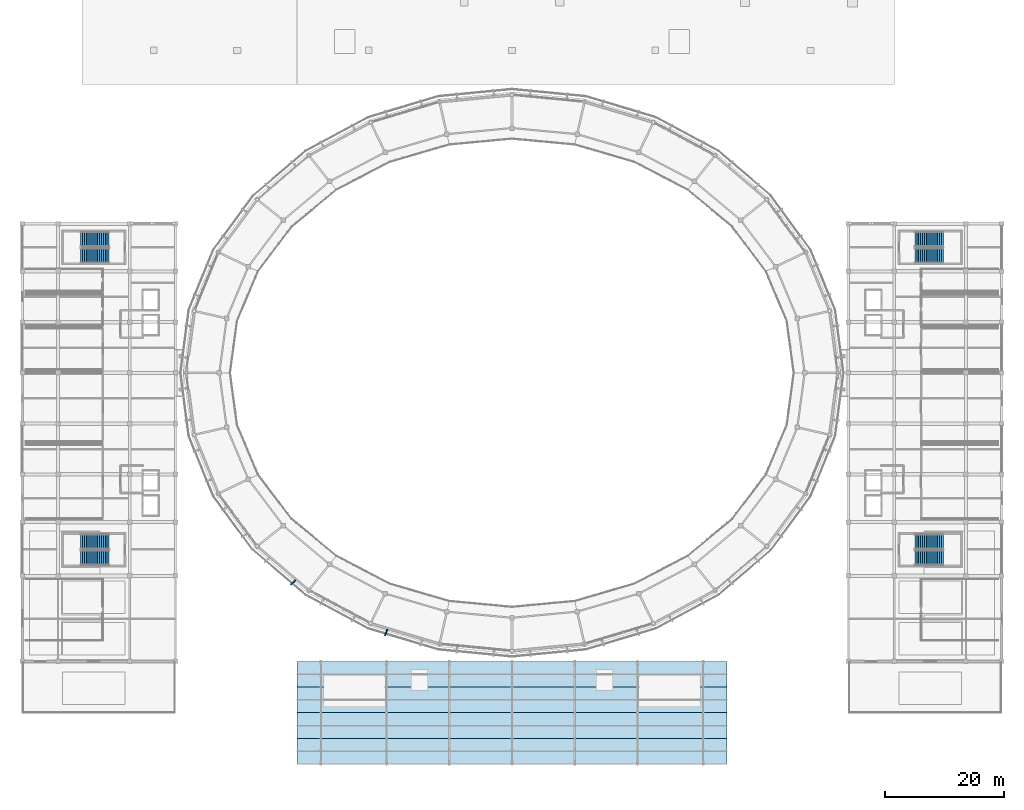
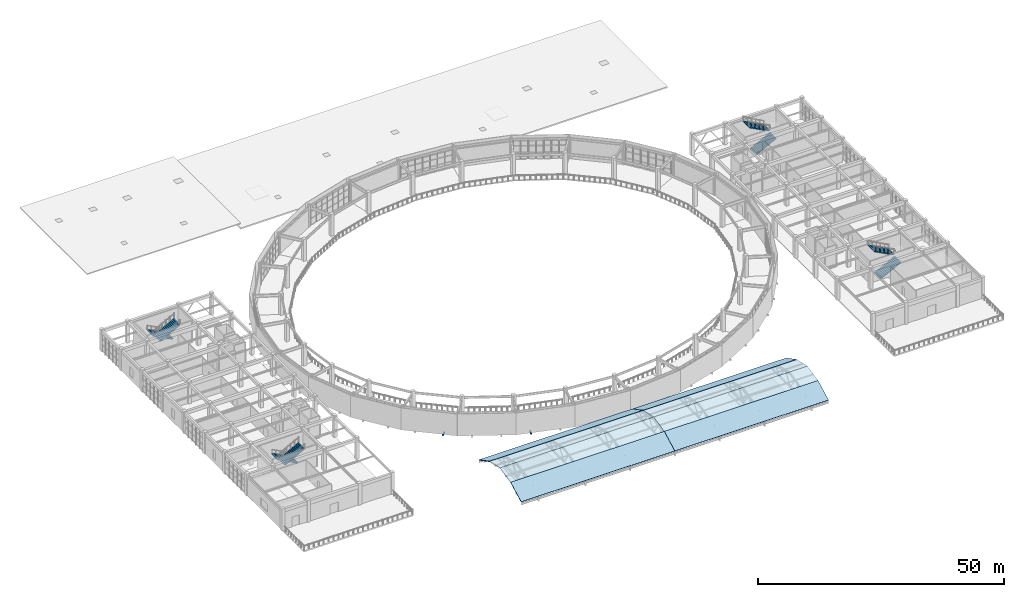
# One storey, part 59 of 70: 8 roofs, 8 stair flights, 2 discrete accessories, 4 elements without a shape of their own.
"""IFC4 building model written with IfcOpenShell, lengths in metres."""

import ifcopenshell
import ifcopenshell.guid

model = None  # the IFC model being written
_history = None  # IfcOwnerHistory: only IFC2X3 demands one
_inside = {}  # id of a spatial element -> (the spatial element, [elements in it])
_under = {}  # id of a project, library or spatial element -> (it, [spatial elements below it])
_declared = {}  # id of a project -> (the project, [libraries it declares])
_typed = {}  # id of a type object -> (the type object, [elements of that type])
_made_of = {}  # id of a material, layer set ... -> (it, [elements and type objects made of it])


def new_model(schema):
    """Start an empty IFC model of exactly this schema.

    Asked for "IFC4X3", IfcOpenShell would pick the latest addendum, in which some entities
    have other attributes; the version numbers below select the first issue.
    IFC2X3 requires an IfcOwnerHistory on every rooted entity: one is made here for all.
    """
    global model, _history
    if schema == "IFC4X3":
        model = ifcopenshell.file(schema_version=(4, 3, 0, 0))
    else:
        model = ifcopenshell.file(schema=schema)
    _inside.clear()
    _under.clear()
    _declared.clear()
    _typed.clear()
    _made_of.clear()
    _history = None
    if model.schema == "IFC2X3":
        org = make("IfcOrganization", Name="unknown")
        user = make(
            "IfcPersonAndOrganization",
            ThePerson=make("IfcPerson", FamilyName="unknown"),
            TheOrganization=org,
        )
        app = make(
            "IfcApplication",
            ApplicationDeveloper=org,
            Version="unknown",
            ApplicationFullName="unknown",
            ApplicationIdentifier="unknown",
        )
        _history = make(
            "IfcOwnerHistory",
            OwningUser=user,
            OwningApplication=app,
            ChangeAction="ADDED",
            CreationDate=0,
        )
    return model


def make(cls, **values):
    """One entity of the class cls with the attributes given. An attribute that is None is left unset."""
    return model.create_entity(
        cls, **{name: value for name, value in values.items() if value is not None}
    )


def rooted(cls, **values):
    """An entity with a GlobalId (a new one), such as an element, a storey or a relation."""
    return make(cls, GlobalId=ifcopenshell.guid.new(), OwnerHistory=_history, **values)


def si_unit(unit_type, name, prefix=None):
    """IfcSIUnit, for example si_unit("LENGTHUNIT", "METRE", prefix="MILLI")."""
    return make("IfcSIUnit", UnitType=unit_type, Prefix=prefix, Name=name)


def assignment(units):
    """IfcUnitAssignment: the units of a project."""
    return None if units is None else make("IfcUnitAssignment", Units=units)


def point(xyz):
    """IfcCartesianPoint."""
    return None if xyz is None else make("IfcCartesianPoint", Coordinates=xyz)


def direction(xyz):
    """IfcDirection."""
    return None if xyz is None else make("IfcDirection", DirectionRatios=xyz)


def frame(location, z_axis=None, x_axis=None):
    """IfcAxis2Placement3D, a coordinate frame: its origin and axes. An axis left out is left unset."""
    return make(
        "IfcAxis2Placement3D",
        Location=point(location),
        Axis=direction(z_axis),
        RefDirection=direction(x_axis),
    )


def frame_2d(location, x_axis=None):
    """IfcAxis2Placement2D, a coordinate frame in the plane: its origin and x axis."""
    return make(
        "IfcAxis2Placement2D", Location=point(location), RefDirection=direction(x_axis)
    )


def origin():
    """The frame at (0, 0, 0) with its axes left unset."""
    return frame((0.0, 0.0, 0.0))


def origin_2d():
    """The frame at (0, 0) in the plane with its x axis left unset."""
    return frame_2d((0.0, 0.0))


def place(relative_to, where):
    """IfcLocalPlacement: puts the frame where relative to a parent placement (None: the world)."""
    return make(
        "IfcLocalPlacement", PlacementRelTo=relative_to, RelativePlacement=where
    )


def context(
    kind, dimensions, precision=None, world=None, true_north=None, identifier=None
):
    """IfcGeometricRepresentationContext, for example the 3D "Model" context."""
    return make(
        "IfcGeometricRepresentationContext",
        ContextIdentifier=identifier,
        ContextType=kind,
        CoordinateSpaceDimension=dimensions,
        Precision=precision,
        WorldCoordinateSystem=world,
        TrueNorth=true_north,
    )


def subcontext(parent, identifier, kind, view, scale=None):
    """IfcGeometricRepresentationSubContext, for example "Body" below "Model"."""
    return make(
        "IfcGeometricRepresentationSubContext",
        ContextIdentifier=identifier,
        ContextType=kind,
        ParentContext=parent,
        TargetScale=scale,
        TargetView=view,
    )


def project(units=None, contexts=None):
    """IfcProject with its units and contexts."""
    return rooted(
        "IfcProject",
        Name="project",
        RepresentationContexts=contexts,
        UnitsInContext=assignment(units),
    )


def spatial(cls, under=None, at=None, **own):
    """A site, building, storey or space (cls), placed at a placement, below another one or the project."""
    s = rooted(cls, ObjectPlacement=at, **own)
    if under is not None:
        _under.setdefault(under.id(), (under, []))[1].append(s)
    return s


def polyline(points):
    """IfcPolyline through the points."""
    return make("IfcPolyline", Points=[point(p) for p in points])


def profile(cls, at=None, kind="AREA", **sizes):
    """A parametric profile (cls). Its sizes go by their IFC names, for example OverallWidth=200.0."""
    return make(cls, ProfileType=kind, Position=at, **sizes)


def rectangle(**sizes):
    """IfcRectangleProfileDef."""
    return profile("IfcRectangleProfileDef", **sizes)


def outline(outer, holes=None, kind="AREA"):
    """IfcArbitraryClosedProfileDef: a profile drawn as a closed curve; with holes, ...WithVoids."""
    if holes is None:
        return make("IfcArbitraryClosedProfileDef", ProfileType=kind, OuterCurve=outer)
    return make(
        "IfcArbitraryProfileDefWithVoids",
        ProfileType=kind,
        OuterCurve=outer,
        InnerCurves=holes,
    )


def extrude(swept, where, along, depth):
    """IfcExtrudedAreaSolid: the profile swept, set in the frame where, extruded along a direction by depth."""
    return make(
        "IfcExtrudedAreaSolid",
        SweptArea=swept,
        Position=where,
        ExtrudedDirection=direction(along),
        Depth=depth,
    )


def shape(context_of_items, identifier, shape_type, items):
    """IfcShapeRepresentation: the items that make up one representation, for example the "Body"."""
    return make(
        "IfcShapeRepresentation",
        ContextOfItems=context_of_items,
        RepresentationIdentifier=identifier,
        RepresentationType=shape_type,
        Items=items,
    )


def material(Name=None, Category=None):
    """IfcMaterial."""
    return make("IfcMaterial", Name=Name, Category=Category)


def layer(
    of_material, thickness, ventilated=None, Name=None, Category=None, Priority=None
):
    """IfcMaterialLayer: one layer of a wall or slab, of a material (None: an air gap)."""
    return make(
        "IfcMaterialLayer",
        Material=of_material,
        LayerThickness=thickness,
        IsVentilated=ventilated,
        Name=Name,
        Category=Category,
        Priority=Priority,
    )


def layer_set(layers, Name=None):
    """IfcMaterialLayerSet."""
    return make("IfcMaterialLayerSet", MaterialLayers=layers, LayerSetName=Name)


def made_of(thing, what):
    """Note that an element or type object is made of a material, layer set ...; save() writes the relation."""
    if what is not None:
        _made_of.setdefault(what.id(), (what, []))[1].append(thing)
    return thing


def type_object(cls, material=None, **own):
    """A type object (cls), such as IfcWallType, which elements share."""
    return made_of(rooted(cls, **own), material)


def element(
    cls,
    number,
    at=None,
    inside=None,
    cuts=None,
    type_object=None,
    material=None,
    context=None,
    identifier="Body",
    shape_type=None,
    held_by="IfcProductDefinitionShape",
    body=None,
    shapes=None,
    **own,
):
    """One element of the class cls, such as IfcWall. Its Tag is "e" and its number.

    at: its placement. inside: the storey or other place that contains it. cuts: it is an
    opening in that element (IfcRelVoidsElement). A single representation is given by context,
    identifier, shape_type and body (its items); several are given by shapes. held_by: the class
    of the entity that holds the representations. save() writes the other relations.
    """
    e = rooted(cls, Tag="e%d" % number, ObjectPlacement=at, **own)
    if body is not None:
        shapes = [shape(context, identifier, shape_type, body)]
    if shapes is not None:
        e.Representation = make(held_by, Representations=shapes)
    if inside is not None:
        _inside.setdefault(inside.id(), (inside, []))[1].append(e)
    if cuts is not None:
        rooted(
            "IfcRelVoidsElement", RelatingBuildingElement=cuts, RelatedOpeningElement=e
        )
    if type_object is not None:
        _typed.setdefault(type_object.id(), (type_object, []))[1].append(e)
    return made_of(e, material)


def aggregate(whole, parts):
    """IfcRelAggregates: a whole, such as a stair, and the parts it consists of."""
    return rooted("IfcRelAggregates", RelatingObject=whole, RelatedObjects=parts)


def save(model, path):
    """Write the relations noted so far, then the file.

    IfcRelAggregates (storeys below a building ...), IfcRelContainedInSpatialStructure (elements
    in a storey), IfcRelDefinesByType, IfcRelAssociatesMaterial and IfcRelDeclares: one each for
    every whole, place, type object, material and project.
    """
    for whole, parts in _under.values():
        aggregate(whole, parts)
    for where, things in _inside.values():
        rooted(
            "IfcRelContainedInSpatialStructure",
            RelatedElements=things,
            RelatingStructure=where,
        )
    for kind, things in _typed.values():
        rooted("IfcRelDefinesByType", RelatedObjects=things, RelatingType=kind)
    for what, things in _made_of.values():
        rooted("IfcRelAssociatesMaterial", RelatedObjects=things, RelatingMaterial=what)
    for by, libraries in _declared.values():
        rooted("IfcRelDeclares", RelatingContext=by, RelatedDefinitions=libraries)
    model.write(path)


model = new_model("IFC4")

# Units and contexts
model_context = context("Model", 3, precision=1e-05, world=origin(), true_north=direction((0.0, 1.0)))
body_context = subcontext(model_context, "Body", "Model", "MODEL_VIEW")
ifc_project = project(units=[si_unit("LENGTHUNIT", "METRE"), si_unit("AREAUNIT", "SQUARE_METRE"), si_unit("VOLUMEUNIT", "CUBIC_METRE"), si_unit("PLANEANGLEUNIT", "RADIAN"), si_unit("MASSUNIT", "GRAM", prefix="KILO")], contexts=[model_context])

# Site, building, storey
site_placement = place(None, origin())
site = spatial("IfcSite", under=ifc_project, at=site_placement, CompositionType="ELEMENT")
building_placement = place(site_placement, origin())
building = spatial("IfcBuilding", under=site, at=building_placement, Name="Cuetzalor Civic Arena", CompositionType="ELEMENT")
storey_placement = place(building_placement, frame((0.0, 0.0, 21.0)))
storey = spatial("IfcBuildingStorey", under=building, at=storey_placement, Name="L04", CompositionType="ELEMENT", Elevation=21.0)

# Stair, stair flights
ifc_material_1 = material(Name="Precast concrete C40/50", Category="concrete")
stair_type = type_object("IfcStairType", Name="EnclosedExitStair_H540", PredefinedType="HALF_TURN_STAIR", material=ifc_material_1)
stair_1_placement = place(storey_placement, origin())
stair_1 = element("IfcStair", 1, at=stair_1_placement, inside=storey, type_object=stair_type, Name="L04 Enclosed Exit Stair ST-16", PredefinedType="HALF_TURN_STAIR")
ifc_material_2 = material(Name="Precast concrete C40/50", Category="concrete")
stair_flight_type = type_object("IfcStairFlightType", Name="ExitStairFlight_H540", PredefinedType="STRAIGHT", material=ifc_material_2)
stair_flight_1_placement = place(storey_placement, frame((-67.449951171875, -28.25, 0.0), z_axis=(0.0, 0.0, 1.0), x_axis=(-1.0, 0.0, 0.0)))
stair_flight_1 = element("IfcStairFlight", 2, at=stair_flight_1_placement, type_object=stair_flight_type, Name="ST-16 flight 1", NumberOfRisers=16, NumberOfTreads=15, PredefinedType="STRAIGHT", RiserHeight=0.16875, TreadLength=0.318, context=body_context, shape_type="SweptSolid", body=[
    extrude(outline(polyline([(0.0, 0.0), (0.0, 0.168701171875), (0.318115234375, 0.168701171875), (0.318115234375, 0.33740234375), (0.635986328125, 0.33740234375), (0.635986328125, 0.50634765625), (0.9541015625, 0.50634765625), (0.9541015625, 0.675048828125), (1.27197265625, 0.675048828125), (1.27197265625, 0.84375), (1.590087890625, 0.84375), (1.590087890625, 1.012451171875), (1.907958984375, 1.012451171875), (1.907958984375, 1.18115234375), (2.22607421875, 1.18115234375), (2.22607421875, 1.35009765625), (2.5439453125, 1.35009765625), (2.5439453125, 1.518798828125), (2.862060546875, 1.518798828125), (2.862060546875, 1.6875), (3.179931640625, 1.6875), (3.179931640625, 1.856201171875), (3.498046875, 1.856201171875), (3.498046875, 2.02490234375), (3.81591796875, 2.02490234375), (3.81591796875, 2.19384765625), (4.134033203125, 2.19384765625), (4.134033203125, 2.362548828125), (4.451904296875, 2.362548828125), (4.451904296875, 2.53125), (4.77001953125, 2.53125), (4.77001953125, 2.699951171875), (4.77001953125, 2.32763671875), (0.3837890625, 0.0), (0.0, 0.0)])), frame((0.0, 1.25, 0.0), z_axis=(0.0, -1.0, 0.0), x_axis=(1.0, 0.0, 0.0)), (0.0, 0.0, 1.0), 2.5),
])
stair_flight_2_placement = place(storey_placement, frame((-72.219970703125, -30.949951171875, 2.699951171875), z_axis=(0.0, 0.0, 1.0), x_axis=(1.0, 0.0, 0.0)))
stair_flight_2 = element("IfcStairFlight", 3, at=stair_flight_2_placement, type_object=stair_flight_type, Name="ST-16 flight 2", NumberOfRisers=16, NumberOfTreads=15, PredefinedType="STRAIGHT", RiserHeight=0.16875, TreadLength=0.318, context=body_context, shape_type="SweptSolid", body=[
    extrude(outline(polyline([(0.0, 0.0), (0.0, 0.168701171875), (0.318115234375, 0.168701171875), (0.318115234375, 0.33740234375), (0.635986328125, 0.33740234375), (0.635986328125, 0.50634765625), (0.9541015625, 0.50634765625), (0.9541015625, 0.675048828125), (1.27197265625, 0.675048828125), (1.27197265625, 0.84375), (1.590087890625, 0.84375), (1.590087890625, 1.012451171875), (1.907958984375, 1.012451171875), (1.907958984375, 1.18115234375), (2.22607421875, 1.18115234375), (2.22607421875, 1.35009765625), (2.5439453125, 1.35009765625), (2.5439453125, 1.518798828125), (2.862060546875, 1.518798828125), (2.862060546875, 1.6875), (3.179931640625, 1.6875), (3.179931640625, 1.856201171875), (3.498046875, 1.856201171875), (3.498046875, 2.02490234375), (3.81591796875, 2.02490234375), (3.81591796875, 2.19384765625), (4.134033203125, 2.19384765625), (4.134033203125, 2.362548828125), (4.451904296875, 2.362548828125), (4.451904296875, 2.53125), (4.77001953125, 2.53125), (4.77001953125, 2.699951171875), (4.77001953125, 2.32763671875), (0.3837890625, 0.0), (0.0, 0.0)])), frame((0.0, 1.25, 0.0), z_axis=(0.0, -1.0, 0.0), x_axis=(1.0, 0.0, 0.0)), (0.0, 0.0, 1.0), 2.5),
])
aggregate(stair_1, [stair_flight_1, stair_flight_2])

stair_2_placement = place(storey_placement, origin())
stair_2 = element("IfcStair", 4, at=stair_2_placement, inside=storey, type_object=stair_type, Name="L04 Enclosed Exit Stair ST-17", PredefinedType="HALF_TURN_STAIR")
stair_flight_3_placement = place(storey_placement, frame((-67.449951171875, 22.35009765625, 0.0), z_axis=(0.0, 0.0, 1.0), x_axis=(-1.0, 0.0, 0.0)))
stair_flight_3 = element("IfcStairFlight", 5, at=stair_flight_3_placement, type_object=stair_flight_type, Name="ST-17 flight 1", NumberOfRisers=16, NumberOfTreads=15, PredefinedType="STRAIGHT", RiserHeight=0.16875, TreadLength=0.318, context=body_context, shape_type="SweptSolid", body=[
    extrude(outline(polyline([(0.0, 0.0), (0.0, 0.168701171875), (0.318115234375, 0.168701171875), (0.318115234375, 0.33740234375), (0.635986328125, 0.33740234375), (0.635986328125, 0.50634765625), (0.9541015625, 0.50634765625), (0.9541015625, 0.675048828125), (1.27197265625, 0.675048828125), (1.27197265625, 0.84375), (1.590087890625, 0.84375), (1.590087890625, 1.012451171875), (1.907958984375, 1.012451171875), (1.907958984375, 1.18115234375), (2.22607421875, 1.18115234375), (2.22607421875, 1.35009765625), (2.5439453125, 1.35009765625), (2.5439453125, 1.518798828125), (2.862060546875, 1.518798828125), (2.862060546875, 1.6875), (3.179931640625, 1.6875), (3.179931640625, 1.856201171875), (3.498046875, 1.856201171875), (3.498046875, 2.02490234375), (3.81591796875, 2.02490234375), (3.81591796875, 2.19384765625), (4.134033203125, 2.19384765625), (4.134033203125, 2.362548828125), (4.451904296875, 2.362548828125), (4.451904296875, 2.53125), (4.77001953125, 2.53125), (4.77001953125, 2.699951171875), (4.77001953125, 2.32763671875), (0.3837890625, 0.0), (0.0, 0.0)])), frame((0.0, 1.25, 0.0), z_axis=(0.0, -1.0, 0.0), x_axis=(1.0, 0.0, 0.0)), (0.0, 0.0, 1.0), 2.5),
])
stair_flight_4_placement = place(storey_placement, frame((-72.219970703125, 19.64990234375, 2.699951171875), z_axis=(0.0, 0.0, 1.0), x_axis=(1.0, 0.0, 0.0)))
stair_flight_4 = element("IfcStairFlight", 6, at=stair_flight_4_placement, type_object=stair_flight_type, Name="ST-17 flight 2", NumberOfRisers=16, NumberOfTreads=15, PredefinedType="STRAIGHT", RiserHeight=0.16875, TreadLength=0.318, context=body_context, shape_type="SweptSolid", body=[
    extrude(outline(polyline([(0.0, 0.0), (0.0, 0.168701171875), (0.318115234375, 0.168701171875), (0.318115234375, 0.33740234375), (0.635986328125, 0.33740234375), (0.635986328125, 0.50634765625), (0.9541015625, 0.50634765625), (0.9541015625, 0.675048828125), (1.27197265625, 0.675048828125), (1.27197265625, 0.84375), (1.590087890625, 0.84375), (1.590087890625, 1.012451171875), (1.907958984375, 1.012451171875), (1.907958984375, 1.18115234375), (2.22607421875, 1.18115234375), (2.22607421875, 1.35009765625), (2.5439453125, 1.35009765625), (2.5439453125, 1.518798828125), (2.862060546875, 1.518798828125), (2.862060546875, 1.6875), (3.179931640625, 1.6875), (3.179931640625, 1.856201171875), (3.498046875, 1.856201171875), (3.498046875, 2.02490234375), (3.81591796875, 2.02490234375), (3.81591796875, 2.19384765625), (4.134033203125, 2.19384765625), (4.134033203125, 2.362548828125), (4.451904296875, 2.362548828125), (4.451904296875, 2.53125), (4.77001953125, 2.53125), (4.77001953125, 2.699951171875), (4.77001953125, 2.32763671875), (0.3837890625, 0.0), (0.0, 0.0)])), frame((0.0, 1.25, 0.0), z_axis=(0.0, -1.0, 0.0), x_axis=(1.0, 0.0, 0.0)), (0.0, 0.0, 1.0), 2.5),
])
aggregate(stair_2, [stair_flight_3, stair_flight_4])

stair_3_placement = place(storey_placement, origin())
stair_3 = element("IfcStair", 7, at=stair_3_placement, inside=storey, type_object=stair_type, Name="L04 Enclosed Exit Stair ST-21", PredefinedType="HALF_TURN_STAIR")
stair_flight_5_placement = place(storey_placement, frame((67.449951171875, -30.949951171875, 0.0), z_axis=(0.0, 0.0, 1.0), x_axis=(1.0, 0.0, 0.0)))
stair_flight_5 = element("IfcStairFlight", 8, at=stair_flight_5_placement, type_object=stair_flight_type, Name="ST-21 flight 1", NumberOfRisers=16, NumberOfTreads=15, PredefinedType="STRAIGHT", RiserHeight=0.16875, TreadLength=0.318, context=body_context, shape_type="SweptSolid", body=[
    extrude(outline(polyline([(0.0, 0.0), (0.0, 0.168701171875), (0.318115234375, 0.168701171875), (0.318115234375, 0.33740234375), (0.635986328125, 0.33740234375), (0.635986328125, 0.50634765625), (0.9541015625, 0.50634765625), (0.9541015625, 0.675048828125), (1.27197265625, 0.675048828125), (1.27197265625, 0.84375), (1.590087890625, 0.84375), (1.590087890625, 1.012451171875), (1.907958984375, 1.012451171875), (1.907958984375, 1.18115234375), (2.22607421875, 1.18115234375), (2.22607421875, 1.35009765625), (2.5439453125, 1.35009765625), (2.5439453125, 1.518798828125), (2.862060546875, 1.518798828125), (2.862060546875, 1.6875), (3.179931640625, 1.6875), (3.179931640625, 1.856201171875), (3.498046875, 1.856201171875), (3.498046875, 2.02490234375), (3.81591796875, 2.02490234375), (3.81591796875, 2.19384765625), (4.134033203125, 2.19384765625), (4.134033203125, 2.362548828125), (4.451904296875, 2.362548828125), (4.451904296875, 2.53125), (4.77001953125, 2.53125), (4.77001953125, 2.699951171875), (4.77001953125, 2.32763671875), (0.3837890625, 0.0), (0.0, 0.0)])), frame((0.0, 1.25, 0.0), z_axis=(0.0, -1.0, 0.0), x_axis=(1.0, 0.0, 0.0)), (0.0, 0.0, 1.0), 2.5),
])
stair_flight_6_placement = place(storey_placement, frame((72.219970703125, -28.25, 2.699951171875), z_axis=(0.0, 0.0, 1.0), x_axis=(-1.0, 0.0, 0.0)))
stair_flight_6 = element("IfcStairFlight", 9, at=stair_flight_6_placement, type_object=stair_flight_type, Name="ST-21 flight 2", NumberOfRisers=16, NumberOfTreads=15, PredefinedType="STRAIGHT", RiserHeight=0.16875, TreadLength=0.318, context=body_context, shape_type="SweptSolid", body=[
    extrude(outline(polyline([(0.0, 0.0), (0.0, 0.168701171875), (0.318115234375, 0.168701171875), (0.318115234375, 0.33740234375), (0.635986328125, 0.33740234375), (0.635986328125, 0.50634765625), (0.9541015625, 0.50634765625), (0.9541015625, 0.675048828125), (1.27197265625, 0.675048828125), (1.27197265625, 0.84375), (1.590087890625, 0.84375), (1.590087890625, 1.012451171875), (1.907958984375, 1.012451171875), (1.907958984375, 1.18115234375), (2.22607421875, 1.18115234375), (2.22607421875, 1.35009765625), (2.5439453125, 1.35009765625), (2.5439453125, 1.518798828125), (2.862060546875, 1.518798828125), (2.862060546875, 1.6875), (3.179931640625, 1.6875), (3.179931640625, 1.856201171875), (3.498046875, 1.856201171875), (3.498046875, 2.02490234375), (3.81591796875, 2.02490234375), (3.81591796875, 2.19384765625), (4.134033203125, 2.19384765625), (4.134033203125, 2.362548828125), (4.451904296875, 2.362548828125), (4.451904296875, 2.53125), (4.77001953125, 2.53125), (4.77001953125, 2.699951171875), (4.77001953125, 2.32763671875), (0.3837890625, 0.0), (0.0, 0.0)])), frame((0.0, 1.25, 0.0), z_axis=(0.0, -1.0, 0.0), x_axis=(1.0, 0.0, 0.0)), (0.0, 0.0, 1.0), 2.5),
])
aggregate(stair_3, [stair_flight_5, stair_flight_6])

stair_4_placement = place(storey_placement, origin())
stair_4 = element("IfcStair", 10, at=stair_4_placement, inside=storey, type_object=stair_type, Name="L04 Enclosed Exit Stair ST-22", PredefinedType="HALF_TURN_STAIR")
stair_flight_7_placement = place(storey_placement, frame((67.449951171875, 19.64990234375, 0.0), z_axis=(0.0, 0.0, 1.0), x_axis=(1.0, 0.0, 0.0)))
stair_flight_7 = element("IfcStairFlight", 11, at=stair_flight_7_placement, type_object=stair_flight_type, Name="ST-22 flight 1", NumberOfRisers=16, NumberOfTreads=15, PredefinedType="STRAIGHT", RiserHeight=0.16875, TreadLength=0.318, context=body_context, shape_type="SweptSolid", body=[
    extrude(outline(polyline([(0.0, 0.0), (0.0, 0.168701171875), (0.318115234375, 0.168701171875), (0.318115234375, 0.33740234375), (0.635986328125, 0.33740234375), (0.635986328125, 0.50634765625), (0.9541015625, 0.50634765625), (0.9541015625, 0.675048828125), (1.27197265625, 0.675048828125), (1.27197265625, 0.84375), (1.590087890625, 0.84375), (1.590087890625, 1.012451171875), (1.907958984375, 1.012451171875), (1.907958984375, 1.18115234375), (2.22607421875, 1.18115234375), (2.22607421875, 1.35009765625), (2.5439453125, 1.35009765625), (2.5439453125, 1.518798828125), (2.862060546875, 1.518798828125), (2.862060546875, 1.6875), (3.179931640625, 1.6875), (3.179931640625, 1.856201171875), (3.498046875, 1.856201171875), (3.498046875, 2.02490234375), (3.81591796875, 2.02490234375), (3.81591796875, 2.19384765625), (4.134033203125, 2.19384765625), (4.134033203125, 2.362548828125), (4.451904296875, 2.362548828125), (4.451904296875, 2.53125), (4.77001953125, 2.53125), (4.77001953125, 2.699951171875), (4.77001953125, 2.32763671875), (0.3837890625, 0.0), (0.0, 0.0)])), frame((0.0, 1.25, 0.0), z_axis=(0.0, -1.0, 0.0), x_axis=(1.0, 0.0, 0.0)), (0.0, 0.0, 1.0), 2.5),
])
stair_flight_8_placement = place(storey_placement, frame((72.219970703125, 22.35009765625, 2.699951171875), z_axis=(0.0, 0.0, 1.0), x_axis=(-1.0, 0.0, 0.0)))
stair_flight_8 = element("IfcStairFlight", 12, at=stair_flight_8_placement, type_object=stair_flight_type, Name="ST-22 flight 2", NumberOfRisers=16, NumberOfTreads=15, PredefinedType="STRAIGHT", RiserHeight=0.16875, TreadLength=0.318, context=body_context, shape_type="SweptSolid", body=[
    extrude(outline(polyline([(0.0, 0.0), (0.0, 0.168701171875), (0.318115234375, 0.168701171875), (0.318115234375, 0.33740234375), (0.635986328125, 0.33740234375), (0.635986328125, 0.50634765625), (0.9541015625, 0.50634765625), (0.9541015625, 0.675048828125), (1.27197265625, 0.675048828125), (1.27197265625, 0.84375), (1.590087890625, 0.84375), (1.590087890625, 1.012451171875), (1.907958984375, 1.012451171875), (1.907958984375, 1.18115234375), (2.22607421875, 1.18115234375), (2.22607421875, 1.35009765625), (2.5439453125, 1.35009765625), (2.5439453125, 1.518798828125), (2.862060546875, 1.518798828125), (2.862060546875, 1.6875), (3.179931640625, 1.6875), (3.179931640625, 1.856201171875), (3.498046875, 1.856201171875), (3.498046875, 2.02490234375), (3.81591796875, 2.02490234375), (3.81591796875, 2.19384765625), (4.134033203125, 2.19384765625), (4.134033203125, 2.362548828125), (4.451904296875, 2.362548828125), (4.451904296875, 2.53125), (4.77001953125, 2.53125), (4.77001953125, 2.699951171875), (4.77001953125, 2.32763671875), (0.3837890625, 0.0), (0.0, 0.0)])), frame((0.0, 1.25, 0.0), z_axis=(0.0, -1.0, 0.0), x_axis=(1.0, 0.0, 0.0)), (0.0, 0.0, 1.0), 2.5),
])
aggregate(stair_4, [stair_flight_7, stair_flight_8])

# Roofs
ifc_material_3 = material(Name="Standing-seam zinc barrel vault deck", Category="steel")
ifc_layer = layer(ifc_material_3, 0.159912109375)
ifc_layer_set = layer_set([ifc_layer], Name="Standing-seam zinc barrel vault deck")
roof_type = type_object("IfcRoofType", Name="FoyerBarrelVaultRoof_ZincGlass", PredefinedType="BARREL_ROOF", material=ifc_layer_set)
for number, where, z_axis, x_axis, name in (
    (13, (-36.0, -65.5, 1.199951171875), (0.0, -0.463617841154, 0.88603526869), (1.0, 0.0, 0.0), "South Foyer Barrel Vault Roof Segment 1W"),
    (14, (0.0, -65.5, 1.199951171875), (0.0, -0.463617841154, 0.88603526869), (1.0, 0.0, 0.0), "South Foyer Barrel Vault Roof Segment 1E"),
):
    element("IfcRoof", number, at=place(storey_placement, frame(where, z_axis=z_axis, x_axis=x_axis)), inside=storey, type_object=roof_type, Name=name, PredefinedType="BARREL_ROOF", context=body_context, shape_type="SweptSolid", body=[
        extrude(outline(polyline([(0.0, 0.0), (36.0, 0.0), (36.0, 4.85313506140713), (0.0, 4.85313506140713), (0.0, 0.0)])), origin(), (0.0, 0.0, -1.0), 0.159912109375),
    ])
for number, where, z_axis, x_axis, name in (
    (15, (-36.0, -61.199951171875, 3.449951171875), (0.0, -0.215715185855, 0.976456327027), (1.0, 0.0, 0.0), "South Foyer Barrel Vault Roof Segment 2W"),
    (16, (0.0, -61.199951171875, 3.449951171875), (0.0, -0.215715185855, 0.976456327027), (1.0, 0.0, 0.0), "South Foyer Barrel Vault Roof Segment 2E"),
):
    element("IfcRoof", number, at=place(storey_placement, frame(where, z_axis=z_axis, x_axis=x_axis)), inside=storey, type_object=roof_type, Name=name, PredefinedType="BARREL_ROOF", context=body_context, shape_type="SweptSolid", body=[
        extrude(outline(polyline([(0.0, 0.0), (36.0, 0.0), (36.0, 4.4037287783429475), (0.0, 4.4037287783429475), (0.0, 0.0)])), origin(), (0.0, 0.0, -1.0), 0.159912109375),
    ])
for number, where, z_axis, x_axis, name in (
    (17, (-36.0, -56.89990234375, 4.39990234375), (0.0, 0.215726864057, 0.976453747048), (1.0, 0.0, 0.0), "South Foyer Barrel Vault Roof Segment 3W"),
    (18, (0.0, -56.89990234375, 4.39990234375), (0.0, 0.215726864057, 0.976453747048), (1.0, 0.0, 0.0), "South Foyer Barrel Vault Roof Segment 3E"),
):
    element("IfcRoof", number, at=place(storey_placement, frame(where, z_axis=z_axis, x_axis=x_axis)), inside=storey, type_object=roof_type, Name=name, PredefinedType="BARREL_ROOF", context=body_context, shape_type="SweptSolid", body=[
        extrude(outline(polyline([(0.0, 0.0), (36.0, 0.0), (36.0, 4.403490385999913), (0.0, 4.403490385999913), (0.0, 0.0)])), origin(), (0.0, 0.0, -1.0), 0.159912109375),
    ])
for number, where, z_axis, x_axis, name in (
    (19, (-36.0, -52.60009765625, 3.449951171875), (0.0, 0.463617841154, 0.88603526869), (1.0, 0.0, 0.0), "South Foyer Barrel Vault Roof Segment 4W"),
    (20, (0.0, -52.60009765625, 3.449951171875), (0.0, 0.463617841154, 0.88603526869), (1.0, 0.0, 0.0), "South Foyer Barrel Vault Roof Segment 4E"),
):
    element("IfcRoof", number, at=place(storey_placement, frame(where, z_axis=z_axis, x_axis=x_axis)), inside=storey, type_object=roof_type, Name=name, PredefinedType="BARREL_ROOF", context=body_context, shape_type="SweptSolid", body=[
        extrude(outline(polyline([(0.0, 0.0), (36.0, 0.0), (36.0, 4.85313506140713), (0.0, 4.85313506140713), (0.0, 0.0)])), origin(), (0.0, 0.0, -1.0), 0.159912109375),
    ])

# Discrete accessories
ifc_material_4 = material(Name="Steel S355", Category="steel")
discrete_accessory_type = type_object("IfcDiscreteAccessoryType", Name="ScreenOutriggerBracket_S355", PredefinedType="BRACKET", material=ifc_material_4)
for number, where, z_axis, x_axis, name in (
    (21, (-36.651611328125, -35.089599609375, -0.27001953125), (0.0, 0.0, 1.0), (-0.707106781187, -0.707106781187, 0.0), "Drum Screen Outrigger Bracket L04-0176"),
    (22, (-21.06201171875, -43.46728515625, -0.27001953125), (0.0, 0.0, 1.0), (-0.330184923902, -0.943916265369, 0.0), "Drum Screen Outrigger Bracket L04-0197"),
):
    element("IfcDiscreteAccessory", number, at=place(storey_placement, frame(where, z_axis=z_axis, x_axis=x_axis)), inside=storey, type_object=discrete_accessory_type, Name=name, PredefinedType="BRACKET", context=body_context, shape_type="SweptSolid", body=[
        extrude(rectangle(XDim=1.10009765625, YDim=0.239990234375, at=origin_2d()), origin(), (0.0, 0.0, 1.0), 0.260009765625),
    ])

save(model, "model.ifc")
